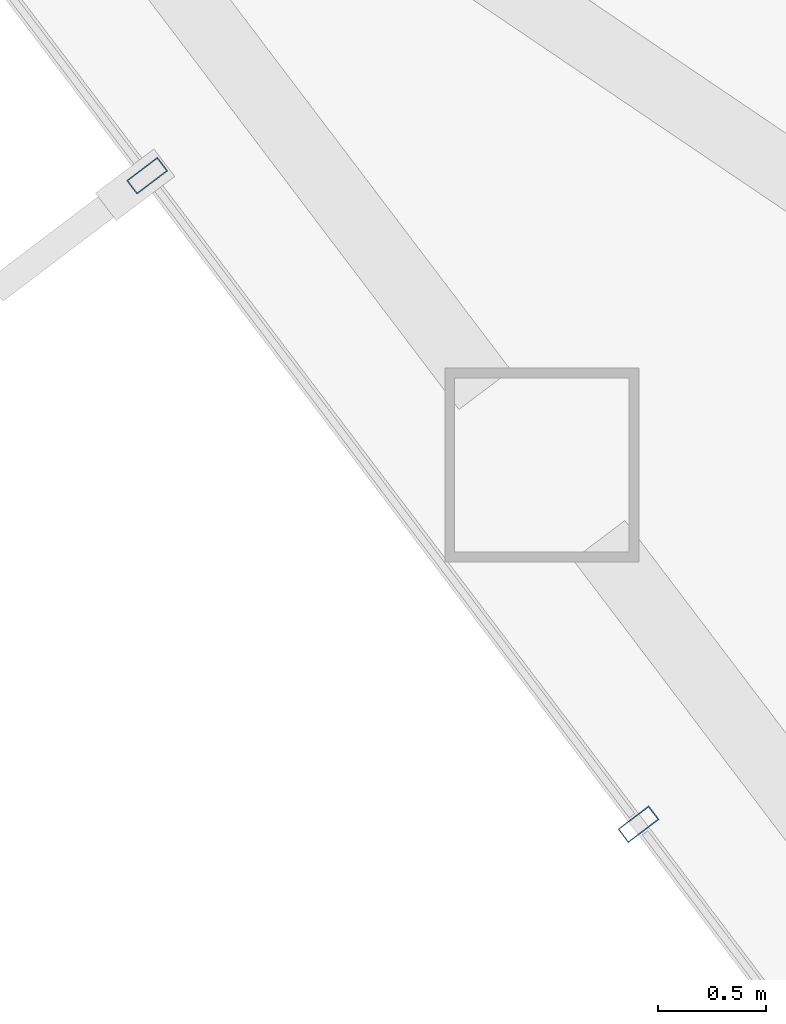
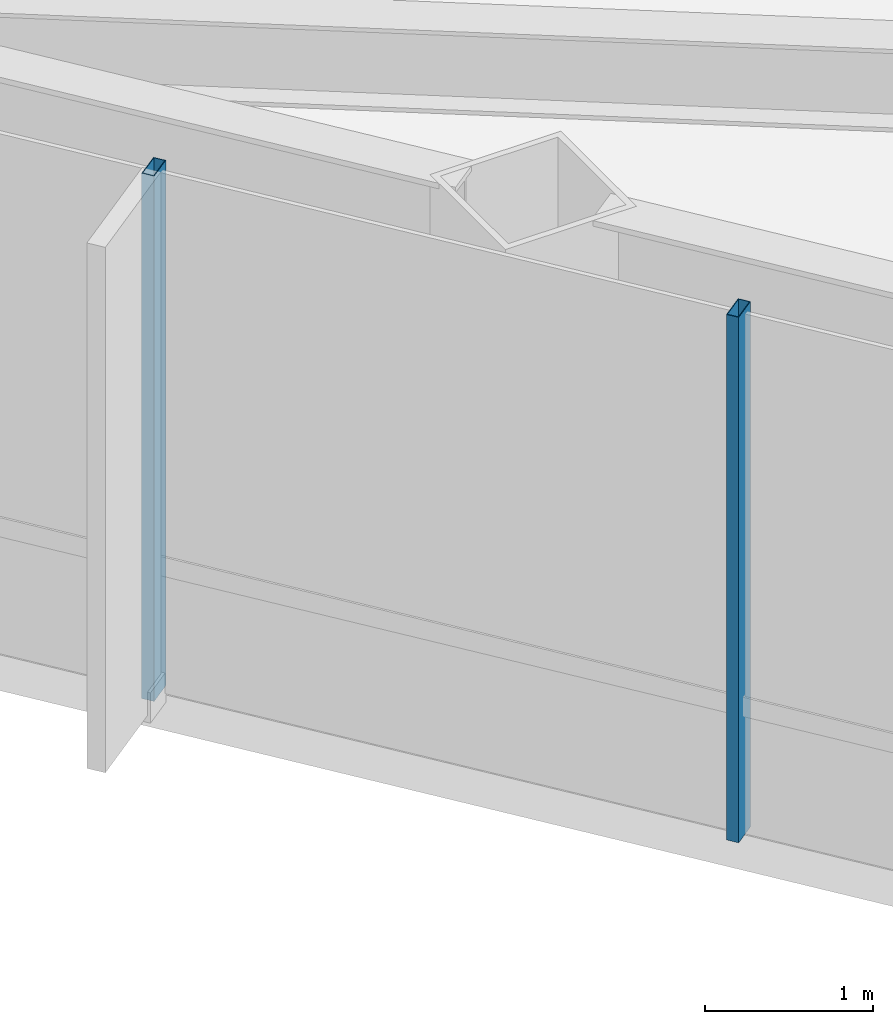
# One storey, part 4 of 24: 2 members, 1 element without a shape of its own.
"""IFC4 building model written with IfcOpenShell, lengths in metres."""

from ifc_helpers import new_model, si_unit, direction, frame, origin, origin_2d, place, context, subcontext, project, spatial, hollow_rectangle, extrude, material, layer, layer_set, material_profile, profile_set, type_object, element, aggregate, save


model = new_model("IFC4")

# Units and contexts
model_context = context("Model", 3, precision=1e-05, world=origin(), true_north=direction((0.0, 1.0)))
body_context = subcontext(model_context, "Body", "Model", "MODEL_VIEW")
ifc_project = project(units=[si_unit("LENGTHUNIT", "METRE"), si_unit("AREAUNIT", "SQUARE_METRE"), si_unit("VOLUMEUNIT", "CUBIC_METRE"), si_unit("PLANEANGLEUNIT", "RADIAN"), si_unit("MASSUNIT", "GRAM", prefix="KILO")], contexts=[model_context])

# Site, building, storey
site_placement = place(None, origin())
site = spatial("IfcSite", under=ifc_project, at=site_placement, CompositionType="ELEMENT")
building_placement = place(site_placement, origin())
building = spatial("IfcBuilding", under=site, at=building_placement, Name="Zarrinselat Tower", CompositionType="ELEMENT")
storey_placement = place(building_placement, frame((0.0, 0.0, 96.89990234375)))
storey = spatial("IfcBuildingStorey", under=building, at=storey_placement, Name="L23", CompositionType="ELEMENT", Elevation=96.89990234375)

# Curtain wall, members
ifc_material_1 = material(Name="Extruded Aluminium Alloy EN AW-6063 T6", Category="aluminium")
ifc_layer = layer(ifc_material_1, 0.18505859375)
ifc_layer_set = layer_set([ifc_layer], Name="Extruded Aluminium Alloy EN AW-6063 T6")
curtain_wall_type = type_object("IfcCurtainWallType", Name="CWS-OFF", PredefinedType="NOTDEFINED", material=ifc_layer_set)
curtain_wall_placement = place(storey_placement, origin())
curtain_wall = element("IfcCurtainWall", 1, at=curtain_wall_placement, inside=storey, type_object=curtain_wall_type, Name="L23 Unitised Curtain Wall CW-L23-E03", PredefinedType="NOTDEFINED")
ifc_material_2 = material(Name="Extruded Aluminium Alloy EN AW-6063 T6", Category="aluminium")
ifc_material_profile = material_profile(ifc_material_2, hollow_rectangle(XDim=0.080078125, YDim=0.179931640625, WallThickness=0.0048828125, at=origin_2d()), Name="RHS 180x80x5")
ifc_profile_set = profile_set([ifc_material_profile], Name="Extruded Aluminium Alloy EN AW-6063 T6")
member_type = type_object("IfcMemberType", Name="MEM-CW-MUL", PredefinedType="MULLION", material=ifc_profile_set)
member_1_placement = place(storey_placement, frame((17.51806640625, 33.38427734375, 0.0), z_axis=(0.0, 0.0, 1.0), x_axis=(0.603857772927, -0.797092083812, 0.0)))
member_1 = element("IfcMember", 2, at=member_1_placement, type_object=member_type, Name="CW-L23-E03 Mullion 1", PredefinedType="MULLION", context=body_context, shape_type="SweptSolid", body=[
    extrude(hollow_rectangle(XDim=0.080078125, YDim=0.179931640625, WallThickness=0.0048828125, at=origin_2d()), origin(), (0.0, 0.0, 1.0), 3.820068359375),
])
member_2_placement = place(storey_placement, frame((19.799560546875, 30.37255859375, 0.0), z_axis=(0.0, 0.0, 1.0), x_axis=(0.603857772927, -0.797092083812, 0.0)))
member_2 = element("IfcMember", 3, at=member_2_placement, type_object=member_type, Name="CW-L23-E03 Mullion 2", PredefinedType="MULLION", context=body_context, shape_type="SweptSolid", body=[
    extrude(hollow_rectangle(XDim=0.080078125, YDim=0.179931640625, WallThickness=0.0048828125, at=origin_2d()), origin(), (0.0, 0.0, 1.0), 3.820068359375),
])
aggregate(curtain_wall, [member_1, member_2])

save(model, "model.ifc")
